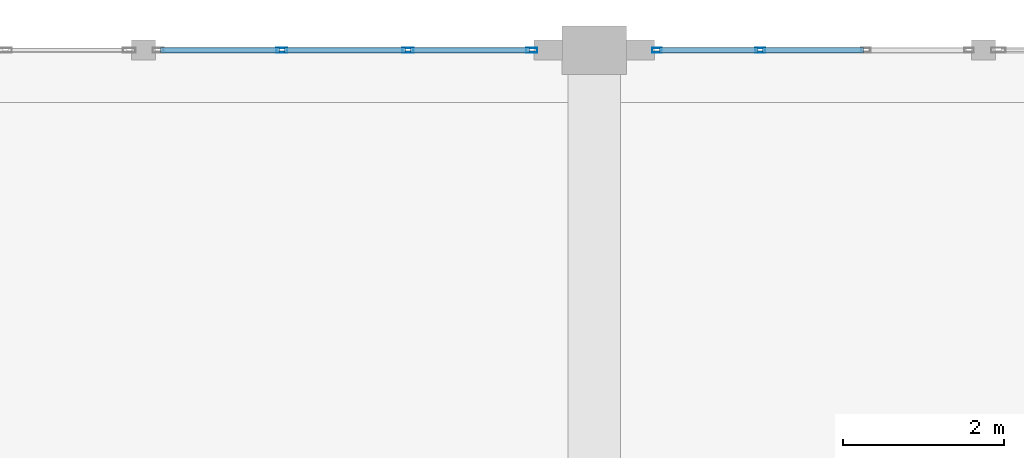
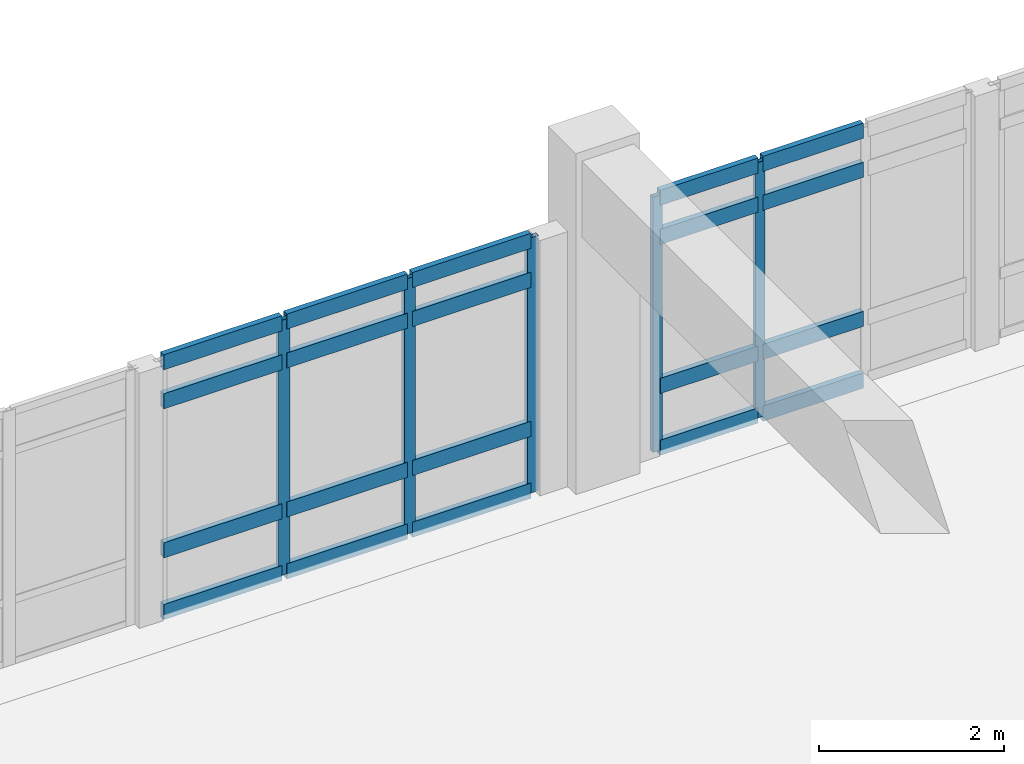
# One storey, part 56 of 109: 25 members, 2 elements without a shape of their own.
"""IFC4 building model written with IfcOpenShell, lengths in metres."""

from ifc_helpers import new_model, si_unit, direction, frame, origin, origin_2d, place, context, subcontext, project, spatial, hollow_rectangle, extrude, material, layer, layer_set, material_profile, profile_set, type_object, element, aggregate, save


model = new_model("IFC4")

# Units and contexts
model_context = context("Model", 3, precision=1e-05, world=origin(), true_north=direction((0.0, 1.0)))
body_context = subcontext(model_context, "Body", "Model", "MODEL_VIEW")
ifc_project = project(units=[si_unit("LENGTHUNIT", "METRE"), si_unit("AREAUNIT", "SQUARE_METRE"), si_unit("VOLUMEUNIT", "CUBIC_METRE"), si_unit("PLANEANGLEUNIT", "RADIAN"), si_unit("MASSUNIT", "GRAM", prefix="KILO")], contexts=[model_context])

# Site, building, storey
site_placement = place(None, origin())
site = spatial("IfcSite", under=ifc_project, at=site_placement, CompositionType="ELEMENT")
building_placement = place(site_placement, origin())
building = spatial("IfcBuilding", under=site, at=building_placement, Name="Fikremerkos Civic Library", CompositionType="ELEMENT")
storey_placement = place(building_placement, frame((0.0, 0.0, 5.39990234375)))
storey = spatial("IfcBuildingStorey", under=building, at=storey_placement, Name="L01", CompositionType="ELEMENT", Elevation=5.39990234375)

# Curtain wall, members
ifc_material = material(Name="Anodized aluminium Frame", Category="aluminium")
ifc_layer_1 = layer(ifc_material, 0.159912109375, Name="Anodized aluminium Frame")
ifc_layer_set_1 = layer_set([ifc_layer_1], Name="Anodized aluminium Frame")
curtain_wall_type_1 = type_object("IfcCurtainWallType", Name="Unitised curtain wall CW-15 2900x3600", PredefinedType="USERDEFINED", material=ifc_layer_set_1)
curtain_wall_1_placement = place(storey_placement, origin())
curtain_wall_1 = element("IfcCurtainWall", 1, at=curtain_wall_1_placement, inside=storey, type_object=curtain_wall_type_1, Name="Unitised curtain wall CW-15 L01 #141", ObjectType="UNITISED CURTAIN WALL", PredefinedType="USERDEFINED")
ifc_material_profile_1 = material_profile(ifc_material, hollow_rectangle(XDim=0.06005859375, YDim=0.139892578125, WallThickness=0.00390625, at=origin_2d()), Name="ALU 140x60x4")
ifc_profile_set_1 = profile_set([ifc_material_profile_1], Name="Anodized aluminium Frame")
member_type_1 = type_object("IfcMemberType", Name="Curtain mullion CWM-03 ALU 140x60x4", PredefinedType="MULLION", material=ifc_profile_set_1)
member_1_placement = place(storey_placement, frame((120.917236328125, 117.60009765625, 0.0), z_axis=(0.0, 0.0, 1.0), x_axis=(0.0, 1.0, 0.0)))
member_1 = element("IfcMember", 2, at=member_1_placement, type_object=member_type_1, Name="CW-15 mullion 2", PredefinedType="MULLION", context=body_context, shape_type="SweptSolid", body=[
    extrude(hollow_rectangle(XDim=0.06005859375, YDim=0.139892578125, WallThickness=0.00390625, at=origin_2d()), origin(), (0.0, 0.0, 1.0), 3.3671875),
])
member_2_placement = place(storey_placement, frame((122.484619140625, 117.60009765625, 0.0), z_axis=(0.0, 0.0, 1.0), x_axis=(0.0, 1.0, 0.0)))
member_2 = element("IfcMember", 3, at=member_2_placement, type_object=member_type_1, Name="CW-15 mullion 3", PredefinedType="MULLION", context=body_context, shape_type="SweptSolid", body=[
    extrude(hollow_rectangle(XDim=0.06005859375, YDim=0.139892578125, WallThickness=0.00390625, at=origin_2d()), origin(), (0.0, 0.0, 1.0), 3.3671875),
])
member_3_placement = place(storey_placement, frame((124.02197265625, 117.60009765625, 0.0), z_axis=(0.0, 0.0, 1.0), x_axis=(0.0, 1.0, 0.0)))
member_3 = element("IfcMember", 4, at=member_3_placement, type_object=member_type_1, Name="CW-15 mullion 4", PredefinedType="MULLION", context=body_context, shape_type="SweptSolid", body=[
    extrude(hollow_rectangle(XDim=0.06005859375, YDim=0.139892578125, WallThickness=0.00390625, at=origin_2d()), origin(), (0.0, 0.0, 1.0), 3.3671875),
])

ifc_layer_2 = layer(ifc_material, 0.159912109375, Name="Anodized aluminium Frame")
ifc_layer_set_2 = layer_set([ifc_layer_2], Name="Anodized aluminium Frame")
curtain_wall_type_2 = type_object("IfcCurtainWallType", Name="Unitised curtain wall CW-16 3100x4100", PredefinedType="USERDEFINED", material=ifc_layer_set_2)
curtain_wall_2_placement = place(storey_placement, origin())
curtain_wall_2 = element("IfcCurtainWall", 5, at=curtain_wall_2_placement, inside=storey, type_object=curtain_wall_type_2, Name="Unitised curtain wall CW-16 L01 #142", ObjectType="UNITISED CURTAIN WALL", PredefinedType="USERDEFINED")
ifc_material_profile_2 = material_profile(ifc_material, hollow_rectangle(XDim=0.06005859375, YDim=0.1201171875, WallThickness=0.00390625, at=origin_2d()), Name="ALU 120x60x4")
ifc_profile_set_2 = profile_set([ifc_material_profile_2], Name="Anodized aluminium Frame")
member_type_2 = type_object("IfcMemberType", Name="Curtain mullion CWM-04 ALU 120x60x4", PredefinedType="MULLION", material=ifc_profile_set_2)
member_4_placement = place(storey_placement, frame((125.577880859375, 117.60009765625, 0.0), z_axis=(0.0, 0.0, 1.0), x_axis=(0.0, 1.0, 0.0)))
member_4 = element("IfcMember", 6, at=member_4_placement, type_object=member_type_2, Name="CW-16 mullion 1", PredefinedType="MULLION", context=body_context, shape_type="SweptSolid", body=[
    extrude(hollow_rectangle(XDim=0.06005859375, YDim=0.1201171875, WallThickness=0.00390625, at=origin_2d()), origin(), (0.0, 0.0, 1.0), 3.3671875),
])
member_5_placement = place(storey_placement, frame((126.861083984375, 117.60009765625, 0.0), z_axis=(0.0, 0.0, 1.0), x_axis=(0.0, 1.0, 0.0)))
member_5 = element("IfcMember", 7, at=member_5_placement, type_object=member_type_2, Name="CW-16 mullion 2", PredefinedType="MULLION", context=body_context, shape_type="SweptSolid", body=[
    extrude(hollow_rectangle(XDim=0.06005859375, YDim=0.1201171875, WallThickness=0.00390625, at=origin_2d()), origin(), (0.0, 0.0, 1.0), 3.3671875),
])

# Member
ifc_material_profile_3 = material_profile(ifc_material, hollow_rectangle(XDim=0.070068359375, YDim=0.199951171875, WallThickness=0.0048828125, at=origin_2d()), Name="ALU 200x70x5")
ifc_profile_set_3 = profile_set([ifc_material_profile_3], Name="Anodized aluminium Frame")
member_type_3 = type_object("IfcMemberType", Name="Curtain transom CWT-04 ALU 200x70x5", PredefinedType="USERDEFINED", material=ifc_profile_set_3)
member_6_placement = place(storey_placement, frame((119.409912109375, 117.60009765625, 0.03515625), z_axis=(1.0, 0.0, 0.0), x_axis=(0.0, 1.0, 0.0)))
member_6 = element("IfcMember", 8, at=member_6_placement, type_object=member_type_3, Name="CW-15 transom 1.1", ObjectType="TRANSOM", PredefinedType="USERDEFINED", context=body_context, shape_type="SweptSolid", body=[
    extrude(hollow_rectangle(XDim=0.070068359375, YDim=0.199951171875, WallThickness=0.0048828125, at=origin_2d()), origin(), (0.0, 0.0, 1.0), 1.4775390625),
])

member_7_placement = place(storey_placement, frame((119.409912109375, 117.60009765625, 0.85009765625), z_axis=(1.0, 0.0, 0.0), x_axis=(0.0, 1.0, 0.0)))
member_7 = element("IfcMember", 9, at=member_7_placement, type_object=member_type_3, Name="CW-15 transom 1.2", ObjectType="TRANSOM", PredefinedType="USERDEFINED", context=body_context, shape_type="SweptSolid", body=[
    extrude(hollow_rectangle(XDim=0.070068359375, YDim=0.199951171875, WallThickness=0.0048828125, at=origin_2d()), origin(), (0.0, 0.0, 1.0), 1.4775390625),
])

member_8_placement = place(storey_placement, frame((119.409912109375, 117.60009765625, 2.8173828125), z_axis=(1.0, 0.0, 0.0), x_axis=(0.0, 1.0, 0.0)))
member_8 = element("IfcMember", 10, at=member_8_placement, type_object=member_type_3, Name="CW-15 transom 1.3", ObjectType="TRANSOM", PredefinedType="USERDEFINED", context=body_context, shape_type="SweptSolid", body=[
    extrude(hollow_rectangle(XDim=0.070068359375, YDim=0.199951171875, WallThickness=0.0048828125, at=origin_2d()), origin(), (0.0, 0.0, 1.0), 1.4775390625),
])

member_9_placement = place(storey_placement, frame((119.409912109375, 117.60009765625, 3.332275390625), z_axis=(1.0, 0.0, 0.0), x_axis=(0.0, 1.0, 0.0)))
member_9 = element("IfcMember", 11, at=member_9_placement, type_object=member_type_3, Name="CW-15 transom 1.4", ObjectType="TRANSOM", PredefinedType="USERDEFINED", context=body_context, shape_type="SweptSolid", body=[
    extrude(hollow_rectangle(XDim=0.070068359375, YDim=0.199951171875, WallThickness=0.0048828125, at=origin_2d()), origin(), (0.0, 0.0, 1.0), 1.4775390625),
])

member_10_placement = place(storey_placement, frame((120.947265625, 117.60009765625, 0.03515625), z_axis=(1.0, 0.0, 0.0), x_axis=(0.0, 1.0, 0.0)))
member_10 = element("IfcMember", 12, at=member_10_placement, type_object=member_type_3, Name="CW-15 transom 2.1", ObjectType="TRANSOM", PredefinedType="USERDEFINED", context=body_context, shape_type="SweptSolid", body=[
    extrude(hollow_rectangle(XDim=0.070068359375, YDim=0.199951171875, WallThickness=0.0048828125, at=origin_2d()), origin(), (0.0, 0.0, 1.0), 1.50732421875),
])

member_11_placement = place(storey_placement, frame((120.947265625, 117.60009765625, 0.85009765625), z_axis=(1.0, 0.0, 0.0), x_axis=(0.0, 1.0, 0.0)))
member_11 = element("IfcMember", 13, at=member_11_placement, type_object=member_type_3, Name="CW-15 transom 2.2", ObjectType="TRANSOM", PredefinedType="USERDEFINED", context=body_context, shape_type="SweptSolid", body=[
    extrude(hollow_rectangle(XDim=0.070068359375, YDim=0.199951171875, WallThickness=0.0048828125, at=origin_2d()), origin(), (0.0, 0.0, 1.0), 1.50732421875),
])

member_12_placement = place(storey_placement, frame((120.947265625, 117.60009765625, 2.8173828125), z_axis=(1.0, 0.0, 0.0), x_axis=(0.0, 1.0, 0.0)))
member_12 = element("IfcMember", 14, at=member_12_placement, type_object=member_type_3, Name="CW-15 transom 2.3", ObjectType="TRANSOM", PredefinedType="USERDEFINED", context=body_context, shape_type="SweptSolid", body=[
    extrude(hollow_rectangle(XDim=0.070068359375, YDim=0.199951171875, WallThickness=0.0048828125, at=origin_2d()), origin(), (0.0, 0.0, 1.0), 1.50732421875),
])

member_13_placement = place(storey_placement, frame((120.947265625, 117.60009765625, 3.332275390625), z_axis=(1.0, 0.0, 0.0), x_axis=(0.0, 1.0, 0.0)))
member_13 = element("IfcMember", 15, at=member_13_placement, type_object=member_type_3, Name="CW-15 transom 2.4", ObjectType="TRANSOM", PredefinedType="USERDEFINED", context=body_context, shape_type="SweptSolid", body=[
    extrude(hollow_rectangle(XDim=0.070068359375, YDim=0.199951171875, WallThickness=0.0048828125, at=origin_2d()), origin(), (0.0, 0.0, 1.0), 1.50732421875),
])

member_14_placement = place(storey_placement, frame((122.5146484375, 117.60009765625, 0.03515625), z_axis=(1.0, 0.0, 0.0), x_axis=(0.0, 1.0, 0.0)))
member_14 = element("IfcMember", 16, at=member_14_placement, type_object=member_type_3, Name="CW-15 transom 3.1", ObjectType="TRANSOM", PredefinedType="USERDEFINED", context=body_context, shape_type="SweptSolid", body=[
    extrude(hollow_rectangle(XDim=0.070068359375, YDim=0.199951171875, WallThickness=0.0048828125, at=origin_2d()), origin(), (0.0, 0.0, 1.0), 1.477294921875),
])

member_15_placement = place(storey_placement, frame((122.5146484375, 117.60009765625, 0.85009765625), z_axis=(1.0, 0.0, 0.0), x_axis=(0.0, 1.0, 0.0)))
member_15 = element("IfcMember", 17, at=member_15_placement, type_object=member_type_3, Name="CW-15 transom 3.2", ObjectType="TRANSOM", PredefinedType="USERDEFINED", context=body_context, shape_type="SweptSolid", body=[
    extrude(hollow_rectangle(XDim=0.070068359375, YDim=0.199951171875, WallThickness=0.0048828125, at=origin_2d()), origin(), (0.0, 0.0, 1.0), 1.477294921875),
])

member_16_placement = place(storey_placement, frame((122.5146484375, 117.60009765625, 2.8173828125), z_axis=(1.0, 0.0, 0.0), x_axis=(0.0, 1.0, 0.0)))
member_16 = element("IfcMember", 18, at=member_16_placement, type_object=member_type_3, Name="CW-15 transom 3.3", ObjectType="TRANSOM", PredefinedType="USERDEFINED", context=body_context, shape_type="SweptSolid", body=[
    extrude(hollow_rectangle(XDim=0.070068359375, YDim=0.199951171875, WallThickness=0.0048828125, at=origin_2d()), origin(), (0.0, 0.0, 1.0), 1.477294921875),
])

member_17_placement = place(storey_placement, frame((122.5146484375, 117.60009765625, 3.332275390625), z_axis=(1.0, 0.0, 0.0), x_axis=(0.0, 1.0, 0.0)))
member_17 = element("IfcMember", 19, at=member_17_placement, type_object=member_type_3, Name="CW-15 transom 3.4", ObjectType="TRANSOM", PredefinedType="USERDEFINED", context=body_context, shape_type="SweptSolid", body=[
    extrude(hollow_rectangle(XDim=0.070068359375, YDim=0.199951171875, WallThickness=0.0048828125, at=origin_2d()), origin(), (0.0, 0.0, 1.0), 1.477294921875),
])

aggregate(curtain_wall_1, [member_1, member_2, member_3, member_6, member_7, member_8, member_9, member_10, member_11, member_12, member_13, member_14, member_15, member_16, member_17])

member_18_placement = place(storey_placement, frame((125.60791015625, 117.60009765625, 0.03515625), z_axis=(1.0, 0.0, 0.0), x_axis=(0.0, 1.0, 0.0)))
member_18 = element("IfcMember", 20, at=member_18_placement, type_object=member_type_3, Name="CW-16 transom 1.1", ObjectType="TRANSOM", PredefinedType="USERDEFINED", context=body_context, shape_type="SweptSolid", body=[
    extrude(hollow_rectangle(XDim=0.070068359375, YDim=0.199951171875, WallThickness=0.0048828125, at=origin_2d()), origin(), (0.0, 0.0, 1.0), 1.22314453125),
])

member_19_placement = place(storey_placement, frame((125.60791015625, 117.60009765625, 0.85009765625), z_axis=(1.0, 0.0, 0.0), x_axis=(0.0, 1.0, 0.0)))
member_19 = element("IfcMember", 21, at=member_19_placement, type_object=member_type_3, Name="CW-16 transom 1.2", ObjectType="TRANSOM", PredefinedType="USERDEFINED", context=body_context, shape_type="SweptSolid", body=[
    extrude(hollow_rectangle(XDim=0.070068359375, YDim=0.199951171875, WallThickness=0.0048828125, at=origin_2d()), origin(), (0.0, 0.0, 1.0), 1.22314453125),
])

member_20_placement = place(storey_placement, frame((125.60791015625, 117.60009765625, 2.8173828125), z_axis=(1.0, 0.0, 0.0), x_axis=(0.0, 1.0, 0.0)))
member_20 = element("IfcMember", 22, at=member_20_placement, type_object=member_type_3, Name="CW-16 transom 1.3", ObjectType="TRANSOM", PredefinedType="USERDEFINED", context=body_context, shape_type="SweptSolid", body=[
    extrude(hollow_rectangle(XDim=0.070068359375, YDim=0.199951171875, WallThickness=0.0048828125, at=origin_2d()), origin(), (0.0, 0.0, 1.0), 1.22314453125),
])

member_21_placement = place(storey_placement, frame((125.60791015625, 117.60009765625, 3.332275390625), z_axis=(1.0, 0.0, 0.0), x_axis=(0.0, 1.0, 0.0)))
member_21 = element("IfcMember", 23, at=member_21_placement, type_object=member_type_3, Name="CW-16 transom 1.4", ObjectType="TRANSOM", PredefinedType="USERDEFINED", context=body_context, shape_type="SweptSolid", body=[
    extrude(hollow_rectangle(XDim=0.070068359375, YDim=0.199951171875, WallThickness=0.0048828125, at=origin_2d()), origin(), (0.0, 0.0, 1.0), 1.22314453125),
])

member_22_placement = place(storey_placement, frame((126.89111328125, 117.60009765625, 0.03515625), z_axis=(1.0, 0.0, 0.0), x_axis=(0.0, 1.0, 0.0)))
member_22 = element("IfcMember", 24, at=member_22_placement, type_object=member_type_3, Name="CW-16 transom 2.1", ObjectType="TRANSOM", PredefinedType="USERDEFINED", context=body_context, shape_type="SweptSolid", body=[
    extrude(hollow_rectangle(XDim=0.070068359375, YDim=0.199951171875, WallThickness=0.0048828125, at=origin_2d()), origin(), (0.0, 0.0, 1.0), 1.253173828125),
])

member_23_placement = place(storey_placement, frame((126.89111328125, 117.60009765625, 0.85009765625), z_axis=(1.0, 0.0, 0.0), x_axis=(0.0, 1.0, 0.0)))
member_23 = element("IfcMember", 25, at=member_23_placement, type_object=member_type_3, Name="CW-16 transom 2.2", ObjectType="TRANSOM", PredefinedType="USERDEFINED", context=body_context, shape_type="SweptSolid", body=[
    extrude(hollow_rectangle(XDim=0.070068359375, YDim=0.199951171875, WallThickness=0.0048828125, at=origin_2d()), origin(), (0.0, 0.0, 1.0), 1.253173828125),
])

member_24_placement = place(storey_placement, frame((126.89111328125, 117.60009765625, 2.8173828125), z_axis=(1.0, 0.0, 0.0), x_axis=(0.0, 1.0, 0.0)))
member_24 = element("IfcMember", 26, at=member_24_placement, type_object=member_type_3, Name="CW-16 transom 2.3", ObjectType="TRANSOM", PredefinedType="USERDEFINED", context=body_context, shape_type="SweptSolid", body=[
    extrude(hollow_rectangle(XDim=0.070068359375, YDim=0.199951171875, WallThickness=0.0048828125, at=origin_2d()), origin(), (0.0, 0.0, 1.0), 1.253173828125),
])

member_25_placement = place(storey_placement, frame((126.89111328125, 117.60009765625, 3.332275390625), z_axis=(1.0, 0.0, 0.0), x_axis=(0.0, 1.0, 0.0)))
member_25 = element("IfcMember", 27, at=member_25_placement, type_object=member_type_3, Name="CW-16 transom 2.4", ObjectType="TRANSOM", PredefinedType="USERDEFINED", context=body_context, shape_type="SweptSolid", body=[
    extrude(hollow_rectangle(XDim=0.070068359375, YDim=0.199951171875, WallThickness=0.0048828125, at=origin_2d()), origin(), (0.0, 0.0, 1.0), 1.253173828125),
])

aggregate(curtain_wall_2, [member_4, member_5, member_18, member_19, member_20, member_21, member_22, member_23, member_24, member_25])

save(model, "model.ifc")
